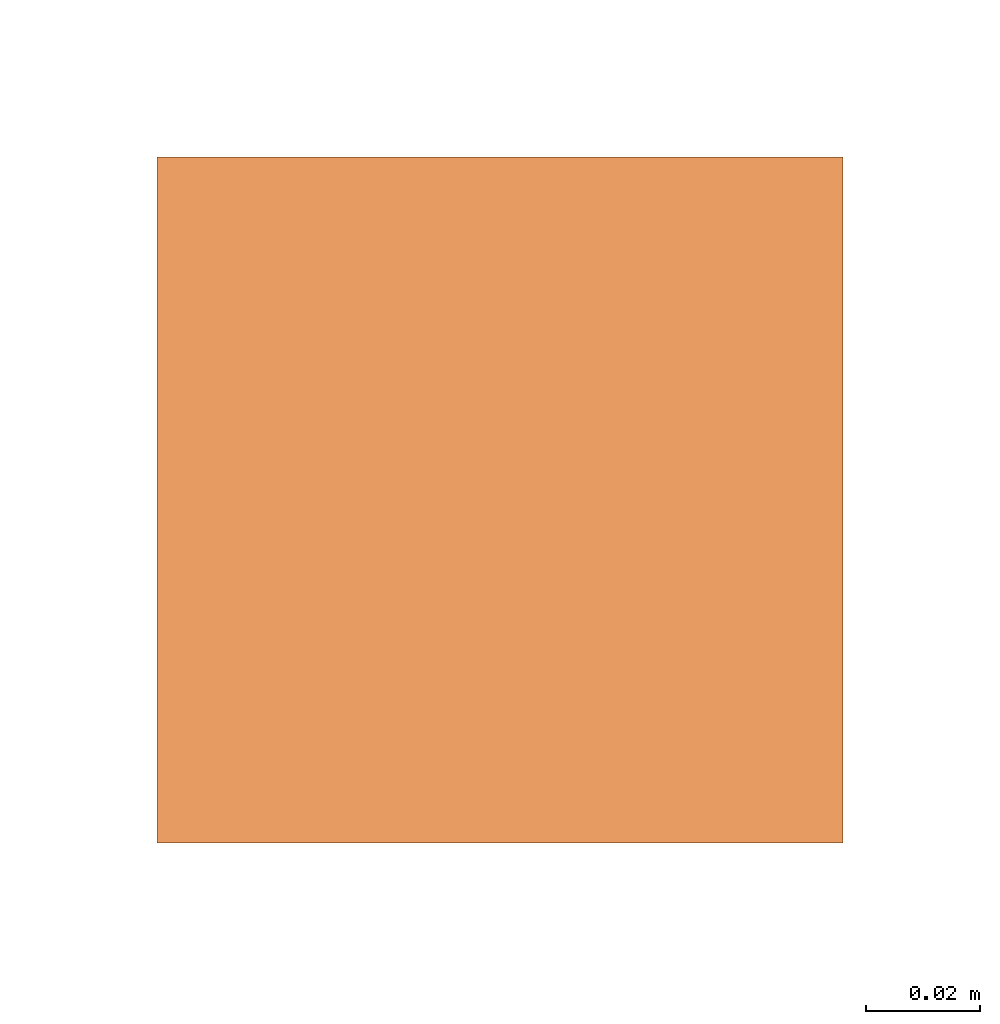
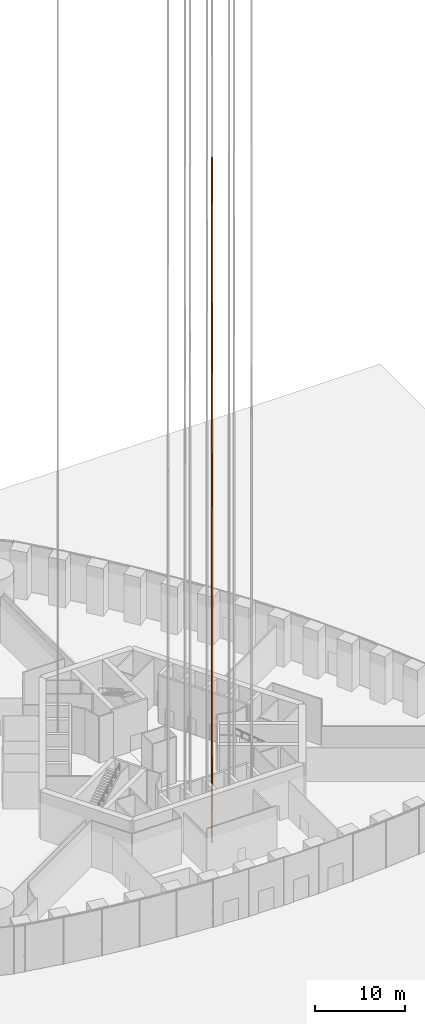
# One storey, part 28 of 43: 1 proxy.
"""IFC4 building model written with IfcOpenShell, lengths in metres."""

from ifc_helpers import new_model, si_unit, direction, frame, origin, origin_2d, place, context, subcontext, project, spatial, rectangle, extrude, element, save


model = new_model("IFC4")

# Units and contexts
model_context = context("Model", 3, precision=1e-05, world=origin(), true_north=direction((0.0, 1.0)))
body_context = subcontext(model_context, "Body", "Model", "MODEL_VIEW")
ifc_project = project(units=[si_unit("LENGTHUNIT", "METRE"), si_unit("AREAUNIT", "SQUARE_METRE"), si_unit("VOLUMEUNIT", "CUBIC_METRE"), si_unit("PLANEANGLEUNIT", "RADIAN"), si_unit("MASSUNIT", "GRAM", prefix="KILO")], contexts=[model_context])

# Site, building, storey
site_placement = place(None, origin())
site = spatial("IfcSite", under=ifc_project, at=site_placement, CompositionType="ELEMENT")
building_placement = place(site_placement, origin())
building = spatial("IfcBuilding", under=site, at=building_placement, Name="Trefoil Bronze Tower", CompositionType="ELEMENT")
storey_placement = place(building_placement, origin())
storey = spatial("IfcBuildingStorey", under=building, at=storey_placement, Name="L00", CompositionType="ELEMENT", Elevation=0.0)

# Proxy
proxy_placement = place(storey_placement, frame((0.31494140625, -11.3125, -1.60009765625), z_axis=(0.0, 0.0, 1.0), x_axis=(1.0, 0.0, 0.0)))
element("IfcBuildingElementProxy", 1, at=proxy_placement, inside=storey, Name="Lift P13 guide rail 1", ObjectType="LIFT GUIDE RAIL", PredefinedType="USERDEFINED", context=body_context, shape_type="SweptSolid", body=[
    extrude(rectangle(XDim=0.1201171875, YDim=0.1201171875, at=origin_2d()), origin(), (0.0, 0.0, 1.0), 93.35009765625),
])

save(model, "model.ifc")
